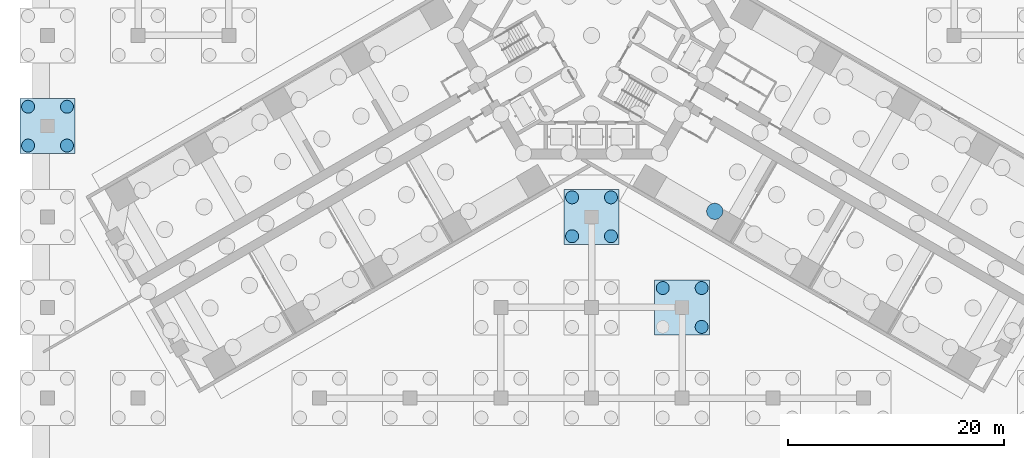
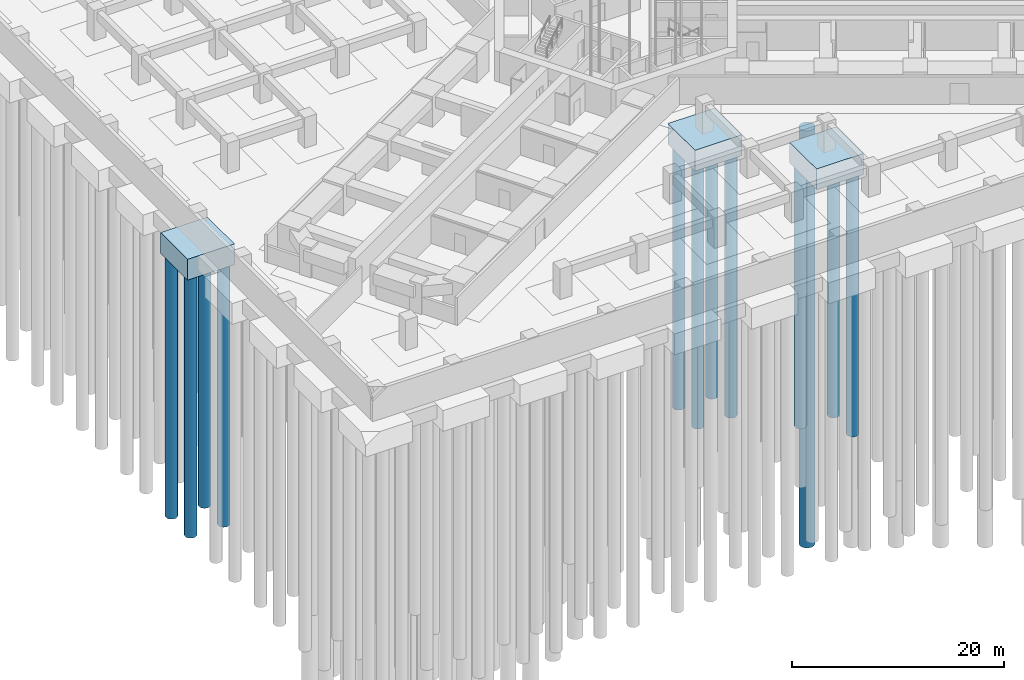
# One storey, part 10 of 73: 12 piles, 3 footings.
"""IFC4 building model written with IfcOpenShell, lengths in metres."""

import ifcopenshell
import ifcopenshell.guid

model = None  # the IFC model being written
_history = None  # IfcOwnerHistory: only IFC2X3 demands one
_inside = {}  # id of a spatial element -> (the spatial element, [elements in it])
_under = {}  # id of a project, library or spatial element -> (it, [spatial elements below it])
_declared = {}  # id of a project -> (the project, [libraries it declares])
_typed = {}  # id of a type object -> (the type object, [elements of that type])
_made_of = {}  # id of a material, layer set ... -> (it, [elements and type objects made of it])


def new_model(schema):
    """Start an empty IFC model of exactly this schema.

    Asked for "IFC4X3", IfcOpenShell would pick the latest addendum, in which some entities
    have other attributes; the version numbers below select the first issue.
    IFC2X3 requires an IfcOwnerHistory on every rooted entity: one is made here for all.
    """
    global model, _history
    if schema == "IFC4X3":
        model = ifcopenshell.file(schema_version=(4, 3, 0, 0))
    else:
        model = ifcopenshell.file(schema=schema)
    _inside.clear()
    _under.clear()
    _declared.clear()
    _typed.clear()
    _made_of.clear()
    _history = None
    if model.schema == "IFC2X3":
        org = make("IfcOrganization", Name="unknown")
        user = make(
            "IfcPersonAndOrganization",
            ThePerson=make("IfcPerson", FamilyName="unknown"),
            TheOrganization=org,
        )
        app = make(
            "IfcApplication",
            ApplicationDeveloper=org,
            Version="unknown",
            ApplicationFullName="unknown",
            ApplicationIdentifier="unknown",
        )
        _history = make(
            "IfcOwnerHistory",
            OwningUser=user,
            OwningApplication=app,
            ChangeAction="ADDED",
            CreationDate=0,
        )
    return model


def make(cls, **values):
    """One entity of the class cls with the attributes given. An attribute that is None is left unset."""
    return model.create_entity(
        cls, **{name: value for name, value in values.items() if value is not None}
    )


def rooted(cls, **values):
    """An entity with a GlobalId (a new one), such as an element, a storey or a relation."""
    return make(cls, GlobalId=ifcopenshell.guid.new(), OwnerHistory=_history, **values)


def si_unit(unit_type, name, prefix=None):
    """IfcSIUnit, for example si_unit("LENGTHUNIT", "METRE", prefix="MILLI")."""
    return make("IfcSIUnit", UnitType=unit_type, Prefix=prefix, Name=name)


def assignment(units):
    """IfcUnitAssignment: the units of a project."""
    return None if units is None else make("IfcUnitAssignment", Units=units)


def point(xyz):
    """IfcCartesianPoint."""
    return None if xyz is None else make("IfcCartesianPoint", Coordinates=xyz)


def direction(xyz):
    """IfcDirection."""
    return None if xyz is None else make("IfcDirection", DirectionRatios=xyz)


def frame(location, z_axis=None, x_axis=None):
    """IfcAxis2Placement3D, a coordinate frame: its origin and axes. An axis left out is left unset."""
    return make(
        "IfcAxis2Placement3D",
        Location=point(location),
        Axis=direction(z_axis),
        RefDirection=direction(x_axis),
    )


def frame_2d(location, x_axis=None):
    """IfcAxis2Placement2D, a coordinate frame in the plane: its origin and x axis."""
    return make(
        "IfcAxis2Placement2D", Location=point(location), RefDirection=direction(x_axis)
    )


def origin():
    """The frame at (0, 0, 0) with its axes left unset."""
    return frame((0.0, 0.0, 0.0))


def origin_2d():
    """The frame at (0, 0) in the plane with its x axis left unset."""
    return frame_2d((0.0, 0.0))


def place(relative_to, where):
    """IfcLocalPlacement: puts the frame where relative to a parent placement (None: the world)."""
    return make(
        "IfcLocalPlacement", PlacementRelTo=relative_to, RelativePlacement=where
    )


def context(
    kind, dimensions, precision=None, world=None, true_north=None, identifier=None
):
    """IfcGeometricRepresentationContext, for example the 3D "Model" context."""
    return make(
        "IfcGeometricRepresentationContext",
        ContextIdentifier=identifier,
        ContextType=kind,
        CoordinateSpaceDimension=dimensions,
        Precision=precision,
        WorldCoordinateSystem=world,
        TrueNorth=true_north,
    )


def subcontext(parent, identifier, kind, view, scale=None):
    """IfcGeometricRepresentationSubContext, for example "Body" below "Model"."""
    return make(
        "IfcGeometricRepresentationSubContext",
        ContextIdentifier=identifier,
        ContextType=kind,
        ParentContext=parent,
        TargetScale=scale,
        TargetView=view,
    )


def project(units=None, contexts=None):
    """IfcProject with its units and contexts."""
    return rooted(
        "IfcProject",
        Name="project",
        RepresentationContexts=contexts,
        UnitsInContext=assignment(units),
    )


def spatial(cls, under=None, at=None, **own):
    """A site, building, storey or space (cls), placed at a placement, below another one or the project."""
    s = rooted(cls, ObjectPlacement=at, **own)
    if under is not None:
        _under.setdefault(under.id(), (under, []))[1].append(s)
    return s


def polyline(points):
    """IfcPolyline through the points."""
    return make("IfcPolyline", Points=[point(p) for p in points])


def profile(cls, at=None, kind="AREA", **sizes):
    """A parametric profile (cls). Its sizes go by their IFC names, for example OverallWidth=200.0."""
    return make(cls, ProfileType=kind, Position=at, **sizes)


def circle(**sizes):
    """IfcCircleProfileDef."""
    return profile("IfcCircleProfileDef", **sizes)


def outline(outer, holes=None, kind="AREA"):
    """IfcArbitraryClosedProfileDef: a profile drawn as a closed curve; with holes, ...WithVoids."""
    if holes is None:
        return make("IfcArbitraryClosedProfileDef", ProfileType=kind, OuterCurve=outer)
    return make(
        "IfcArbitraryProfileDefWithVoids",
        ProfileType=kind,
        OuterCurve=outer,
        InnerCurves=holes,
    )


def extrude(swept, where, along, depth):
    """IfcExtrudedAreaSolid: the profile swept, set in the frame where, extruded along a direction by depth."""
    return make(
        "IfcExtrudedAreaSolid",
        SweptArea=swept,
        Position=where,
        ExtrudedDirection=direction(along),
        Depth=depth,
    )


def shape(context_of_items, identifier, shape_type, items):
    """IfcShapeRepresentation: the items that make up one representation, for example the "Body"."""
    return make(
        "IfcShapeRepresentation",
        ContextOfItems=context_of_items,
        RepresentationIdentifier=identifier,
        RepresentationType=shape_type,
        Items=items,
    )


def material(Name=None, Category=None):
    """IfcMaterial."""
    return make("IfcMaterial", Name=Name, Category=Category)


def material_profile(
    of_material, cross_section, Name=None, Category=None, Priority=None
):
    """IfcMaterialProfile: a cross section and its material."""
    return make(
        "IfcMaterialProfile",
        Name=Name,
        Material=of_material,
        Profile=cross_section,
        Priority=Priority,
        Category=Category,
    )


def profile_set(profiles, Name=None, composite=None):
    """IfcMaterialProfileSet."""
    return make(
        "IfcMaterialProfileSet",
        Name=Name,
        MaterialProfiles=profiles,
        CompositeProfile=composite,
    )


def made_of(thing, what):
    """Note that an element or type object is made of a material, layer set ...; save() writes the relation."""
    if what is not None:
        _made_of.setdefault(what.id(), (what, []))[1].append(thing)
    return thing


def type_object(cls, material=None, **own):
    """A type object (cls), such as IfcWallType, which elements share."""
    return made_of(rooted(cls, **own), material)


def element(
    cls,
    number,
    at=None,
    inside=None,
    cuts=None,
    type_object=None,
    material=None,
    context=None,
    identifier="Body",
    shape_type=None,
    held_by="IfcProductDefinitionShape",
    body=None,
    shapes=None,
    **own,
):
    """One element of the class cls, such as IfcWall. Its Tag is "e" and its number.

    at: its placement. inside: the storey or other place that contains it. cuts: it is an
    opening in that element (IfcRelVoidsElement). A single representation is given by context,
    identifier, shape_type and body (its items); several are given by shapes. held_by: the class
    of the entity that holds the representations. save() writes the other relations.
    """
    e = rooted(cls, Tag="e%d" % number, ObjectPlacement=at, **own)
    if body is not None:
        shapes = [shape(context, identifier, shape_type, body)]
    if shapes is not None:
        e.Representation = make(held_by, Representations=shapes)
    if inside is not None:
        _inside.setdefault(inside.id(), (inside, []))[1].append(e)
    if cuts is not None:
        rooted(
            "IfcRelVoidsElement", RelatingBuildingElement=cuts, RelatedOpeningElement=e
        )
    if type_object is not None:
        _typed.setdefault(type_object.id(), (type_object, []))[1].append(e)
    return made_of(e, material)


def aggregate(whole, parts):
    """IfcRelAggregates: a whole, such as a stair, and the parts it consists of."""
    return rooted("IfcRelAggregates", RelatingObject=whole, RelatedObjects=parts)


def save(model, path):
    """Write the relations noted so far, then the file.

    IfcRelAggregates (storeys below a building ...), IfcRelContainedInSpatialStructure (elements
    in a storey), IfcRelDefinesByType, IfcRelAssociatesMaterial and IfcRelDeclares: one each for
    every whole, place, type object, material and project.
    """
    for whole, parts in _under.values():
        aggregate(whole, parts)
    for where, things in _inside.values():
        rooted(
            "IfcRelContainedInSpatialStructure",
            RelatedElements=things,
            RelatingStructure=where,
        )
    for kind, things in _typed.values():
        rooted("IfcRelDefinesByType", RelatedObjects=things, RelatingType=kind)
    for what, things in _made_of.values():
        rooted("IfcRelAssociatesMaterial", RelatedObjects=things, RelatingMaterial=what)
    for by, libraries in _declared.values():
        rooted("IfcRelDeclares", RelatingContext=by, RelatedDefinitions=libraries)
    model.write(path)


model = new_model("IFC4")

# Units and contexts
model_context = context("Model", 3, precision=1e-05, world=origin(), true_north=direction((0.0, 1.0)))
body_context = subcontext(model_context, "Body", "Model", "MODEL_VIEW")
ifc_project = project(units=[si_unit("LENGTHUNIT", "METRE"), si_unit("AREAUNIT", "SQUARE_METRE"), si_unit("VOLUMEUNIT", "CUBIC_METRE"), si_unit("PLANEANGLEUNIT", "RADIAN"), si_unit("MASSUNIT", "GRAM", prefix="KILO")], contexts=[model_context])

# Site, building, storey
site_placement = place(None, origin())
site = spatial("IfcSite", under=ifc_project, at=site_placement, CompositionType="ELEMENT")
building_placement = place(site_placement, origin())
building = spatial("IfcBuilding", under=site, at=building_placement, Name="Impinga Residences", CompositionType="ELEMENT")
storey_placement = place(building_placement, frame((0.0, 0.0, -10.5)))
storey = spatial("IfcBuildingStorey", under=building, at=storey_placement, Name="B3", CompositionType="ELEMENT", Elevation=-10.5)

# Piles
ifc_material_1 = material(Name="Concrete C35/45", Category="concrete")
ifc_material_profile_1 = material_profile(ifc_material_1, circle(Radius=0.75, at=origin_2d()), Name="D1500")
ifc_profile_set_1 = profile_set([ifc_material_profile_1], Name="Concrete C35/45")
pile_type_1 = type_object("IfcPileType", Name="BP1 bored pile D1500", PredefinedType="BORED", material=ifc_profile_set_1)
pile_1_placement = place(storey_placement, frame((11.415771484375, -16.290283203125, -4.0), z_axis=(0.0, 0.0, -1.0), x_axis=(1.0, 0.0, 0.0)))
element("IfcPile", 1, at=pile_1_placement, inside=storey, type_object=pile_type_1, Name="Raft pile BP1-038", PredefinedType="BORED", context=body_context, shape_type="SweptSolid", body=[
    extrude(outline(polyline([(0.75, 0.0), (0.746337890625, 0.073486328125), (0.735595703125, 0.146240234375), (0.7177734375, 0.2177734375), (0.69287109375, 0.287109375), (0.661376953125, 0.353515625), (0.62353515625, 0.416748046875), (0.579833984375, 0.475830078125), (0.5302734375, 0.5302734375), (0.475830078125, 0.579833984375), (0.416748046875, 0.62353515625), (0.353515625, 0.661376953125), (0.287109375, 0.69287109375), (0.2177734375, 0.7177734375), (0.146240234375, 0.735595703125), (0.073486328125, 0.746337890625), (0.0, 0.75), (-0.073486328125, 0.746337890625), (-0.146240234375, 0.735595703125), (-0.2177734375, 0.7177734375), (-0.287109375, 0.69287109375), (-0.353515625, 0.661376953125), (-0.416748046875, 0.62353515625), (-0.475830078125, 0.579833984375), (-0.5302734375, 0.5302734375), (-0.579833984375, 0.475830078125), (-0.62353515625, 0.416748046875), (-0.661376953125, 0.353515625), (-0.69287109375, 0.287109375), (-0.7177734375, 0.2177734375), (-0.735595703125, 0.146240234375), (-0.746337890625, 0.073486328125), (-0.75, 0.0), (-0.746337890625, -0.073486328125), (-0.735595703125, -0.146240234375), (-0.7177734375, -0.2177734375), (-0.69287109375, -0.287109375), (-0.661376953125, -0.353515625), (-0.62353515625, -0.416748046875), (-0.579833984375, -0.475830078125), (-0.5302734375, -0.5302734375), (-0.475830078125, -0.579833984375), (-0.416748046875, -0.62353515625), (-0.353515625, -0.661376953125), (-0.287109375, -0.69287109375), (-0.2177734375, -0.7177734375), (-0.146240234375, -0.735595703125), (-0.073486328125, -0.746337890625), (0.0, -0.75), (0.073486328125, -0.746337890625), (0.146240234375, -0.735595703125), (0.2177734375, -0.7177734375), (0.287109375, -0.69287109375), (0.353515625, -0.661376953125), (0.416748046875, -0.62353515625), (0.475830078125, -0.579833984375), (0.5302734375, -0.5302734375), (0.579833984375, -0.475830078125), (0.62353515625, -0.416748046875), (0.661376953125, -0.353515625), (0.69287109375, -0.287109375), (0.7177734375, -0.2177734375), (0.735595703125, -0.146240234375), (0.746337890625, -0.073486328125), (0.75, 0.0)])), origin(), (0.0, 0.0, 1.0), 48.0),
])
ifc_material_profile_2 = material_profile(ifc_material_1, circle(Radius=0.60009765625, at=origin_2d()), Name="D1200")
ifc_profile_set_2 = profile_set([ifc_material_profile_2], Name="Concrete C35/45")
pile_type_2 = type_object("IfcPileType", Name="BP2 bored pile D1200", PredefinedType="BORED", material=ifc_profile_set_2)
pile_2_placement = place(storey_placement, frame((-52.199951171875, -10.199951171875, -2.39990234375), z_axis=(0.0, 0.0, -1.0), x_axis=(1.0, 0.0, 0.0)))
element("IfcPile", 2, at=pile_2_placement, inside=storey, type_object=pile_type_2, Name="Cap pile BP2 1/E-1", PredefinedType="BORED", context=body_context, shape_type="SweptSolid", body=[
    extrude(outline(polyline([(0.60009765625, 0.0), (0.59716796875, 0.058837890625), (0.58837890625, 0.116943359375), (0.57421875, 0.174072265625), (0.554443359375, 0.2294921875), (0.529052734375, 0.282958984375), (0.498779296875, 0.333251953125), (0.4638671875, 0.380615234375), (0.42431640625, 0.42431640625), (0.380615234375, 0.4638671875), (0.333251953125, 0.498779296875), (0.282958984375, 0.529052734375), (0.2294921875, 0.554443359375), (0.174072265625, 0.57421875), (0.116943359375, 0.58837890625), (0.058837890625, 0.59716796875), (0.0, 0.60009765625), (-0.058837890625, 0.59716796875), (-0.116943359375, 0.58837890625), (-0.174072265625, 0.57421875), (-0.2294921875, 0.554443359375), (-0.282958984375, 0.529052734375), (-0.333251953125, 0.498779296875), (-0.380615234375, 0.4638671875), (-0.42431640625, 0.42431640625), (-0.4638671875, 0.380615234375), (-0.498779296875, 0.333251953125), (-0.529052734375, 0.282958984375), (-0.554443359375, 0.2294921875), (-0.57421875, 0.174072265625), (-0.58837890625, 0.116943359375), (-0.59716796875, 0.058837890625), (-0.60009765625, 0.0), (-0.59716796875, -0.058837890625), (-0.58837890625, -0.116943359375), (-0.57421875, -0.174072265625), (-0.554443359375, -0.2294921875), (-0.529052734375, -0.282958984375), (-0.498779296875, -0.333251953125), (-0.4638671875, -0.380615234375), (-0.42431640625, -0.42431640625), (-0.380615234375, -0.4638671875), (-0.333251953125, -0.498779296875), (-0.282958984375, -0.529052734375), (-0.2294921875, -0.554443359375), (-0.174072265625, -0.57421875), (-0.116943359375, -0.58837890625), (-0.058837890625, -0.59716796875), (0.0, -0.60009765625), (0.058837890625, -0.59716796875), (0.116943359375, -0.58837890625), (0.174072265625, -0.57421875), (0.2294921875, -0.554443359375), (0.282958984375, -0.529052734375), (0.333251953125, -0.498779296875), (0.380615234375, -0.4638671875), (0.42431640625, -0.42431640625), (0.4638671875, -0.380615234375), (0.498779296875, -0.333251953125), (0.529052734375, -0.282958984375), (0.554443359375, -0.2294921875), (0.57421875, -0.174072265625), (0.58837890625, -0.116943359375), (0.59716796875, -0.058837890625), (0.60009765625, 0.0)])), origin(), (0.0, 0.0, 1.0), 30.0),
])
pile_3_placement = place(storey_placement, frame((-48.60009765625, -10.199951171875, -2.39990234375), z_axis=(0.0, 0.0, -1.0), x_axis=(1.0, 0.0, 0.0)))
element("IfcPile", 3, at=pile_3_placement, inside=storey, type_object=pile_type_2, Name="Cap pile BP2 1/E-2", PredefinedType="BORED", context=body_context, shape_type="SweptSolid", body=[
    extrude(outline(polyline([(0.60009765625, 0.0), (0.59716796875, 0.058837890625), (0.58837890625, 0.116943359375), (0.57421875, 0.174072265625), (0.554443359375, 0.2294921875), (0.529052734375, 0.282958984375), (0.498779296875, 0.333251953125), (0.4638671875, 0.380615234375), (0.42431640625, 0.42431640625), (0.380615234375, 0.4638671875), (0.333251953125, 0.498779296875), (0.282958984375, 0.529052734375), (0.2294921875, 0.554443359375), (0.174072265625, 0.57421875), (0.116943359375, 0.58837890625), (0.058837890625, 0.59716796875), (0.0, 0.60009765625), (-0.058837890625, 0.59716796875), (-0.116943359375, 0.58837890625), (-0.174072265625, 0.57421875), (-0.2294921875, 0.554443359375), (-0.282958984375, 0.529052734375), (-0.333251953125, 0.498779296875), (-0.380615234375, 0.4638671875), (-0.42431640625, 0.42431640625), (-0.4638671875, 0.380615234375), (-0.498779296875, 0.333251953125), (-0.529052734375, 0.282958984375), (-0.554443359375, 0.2294921875), (-0.57421875, 0.174072265625), (-0.58837890625, 0.116943359375), (-0.59716796875, 0.058837890625), (-0.60009765625, 0.0), (-0.59716796875, -0.058837890625), (-0.58837890625, -0.116943359375), (-0.57421875, -0.174072265625), (-0.554443359375, -0.2294921875), (-0.529052734375, -0.282958984375), (-0.498779296875, -0.333251953125), (-0.4638671875, -0.380615234375), (-0.42431640625, -0.42431640625), (-0.380615234375, -0.4638671875), (-0.333251953125, -0.498779296875), (-0.282958984375, -0.529052734375), (-0.2294921875, -0.554443359375), (-0.174072265625, -0.57421875), (-0.116943359375, -0.58837890625), (-0.058837890625, -0.59716796875), (0.0, -0.60009765625), (0.058837890625, -0.59716796875), (0.116943359375, -0.58837890625), (0.174072265625, -0.57421875), (0.2294921875, -0.554443359375), (0.282958984375, -0.529052734375), (0.333251953125, -0.498779296875), (0.380615234375, -0.4638671875), (0.42431640625, -0.42431640625), (0.4638671875, -0.380615234375), (0.498779296875, -0.333251953125), (0.529052734375, -0.282958984375), (0.554443359375, -0.2294921875), (0.57421875, -0.174072265625), (0.58837890625, -0.116943359375), (0.59716796875, -0.058837890625), (0.60009765625, 0.0)])), origin(), (0.0, 0.0, 1.0), 30.0),
])
pile_4_placement = place(storey_placement, frame((-48.60009765625, -6.60009765625, -2.39990234375), z_axis=(0.0, 0.0, -1.0), x_axis=(1.0, 0.0, 0.0)))
element("IfcPile", 4, at=pile_4_placement, inside=storey, type_object=pile_type_2, Name="Cap pile BP2 1/E-3", PredefinedType="BORED", context=body_context, shape_type="SweptSolid", body=[
    extrude(outline(polyline([(0.60009765625, 0.0), (0.59716796875, 0.058837890625), (0.58837890625, 0.116943359375), (0.57421875, 0.174072265625), (0.554443359375, 0.2294921875), (0.529052734375, 0.282958984375), (0.498779296875, 0.333251953125), (0.4638671875, 0.380615234375), (0.42431640625, 0.42431640625), (0.380615234375, 0.4638671875), (0.333251953125, 0.498779296875), (0.282958984375, 0.529052734375), (0.2294921875, 0.554443359375), (0.174072265625, 0.57421875), (0.116943359375, 0.58837890625), (0.058837890625, 0.59716796875), (0.0, 0.60009765625), (-0.058837890625, 0.59716796875), (-0.116943359375, 0.58837890625), (-0.174072265625, 0.57421875), (-0.2294921875, 0.554443359375), (-0.282958984375, 0.529052734375), (-0.333251953125, 0.498779296875), (-0.380615234375, 0.4638671875), (-0.42431640625, 0.42431640625), (-0.4638671875, 0.380615234375), (-0.498779296875, 0.333251953125), (-0.529052734375, 0.282958984375), (-0.554443359375, 0.2294921875), (-0.57421875, 0.174072265625), (-0.58837890625, 0.116943359375), (-0.59716796875, 0.058837890625), (-0.60009765625, 0.0), (-0.59716796875, -0.058837890625), (-0.58837890625, -0.116943359375), (-0.57421875, -0.174072265625), (-0.554443359375, -0.2294921875), (-0.529052734375, -0.282958984375), (-0.498779296875, -0.333251953125), (-0.4638671875, -0.380615234375), (-0.42431640625, -0.42431640625), (-0.380615234375, -0.4638671875), (-0.333251953125, -0.498779296875), (-0.282958984375, -0.529052734375), (-0.2294921875, -0.554443359375), (-0.174072265625, -0.57421875), (-0.116943359375, -0.58837890625), (-0.058837890625, -0.59716796875), (0.0, -0.60009765625), (0.058837890625, -0.59716796875), (0.116943359375, -0.58837890625), (0.174072265625, -0.57421875), (0.2294921875, -0.554443359375), (0.282958984375, -0.529052734375), (0.333251953125, -0.498779296875), (0.380615234375, -0.4638671875), (0.42431640625, -0.42431640625), (0.4638671875, -0.380615234375), (0.498779296875, -0.333251953125), (0.529052734375, -0.282958984375), (0.554443359375, -0.2294921875), (0.57421875, -0.174072265625), (0.58837890625, -0.116943359375), (0.59716796875, -0.058837890625), (0.60009765625, 0.0)])), origin(), (0.0, 0.0, 1.0), 30.0),
])
pile_5_placement = place(storey_placement, frame((-52.199951171875, -6.60009765625, -2.39990234375), z_axis=(0.0, 0.0, -1.0), x_axis=(1.0, 0.0, 0.0)))
element("IfcPile", 5, at=pile_5_placement, inside=storey, type_object=pile_type_2, Name="Cap pile BP2 1/E-4", PredefinedType="BORED", context=body_context, shape_type="SweptSolid", body=[
    extrude(outline(polyline([(0.60009765625, 0.0), (0.59716796875, 0.058837890625), (0.58837890625, 0.116943359375), (0.57421875, 0.174072265625), (0.554443359375, 0.2294921875), (0.529052734375, 0.282958984375), (0.498779296875, 0.333251953125), (0.4638671875, 0.380615234375), (0.42431640625, 0.42431640625), (0.380615234375, 0.4638671875), (0.333251953125, 0.498779296875), (0.282958984375, 0.529052734375), (0.2294921875, 0.554443359375), (0.174072265625, 0.57421875), (0.116943359375, 0.58837890625), (0.058837890625, 0.59716796875), (0.0, 0.60009765625), (-0.058837890625, 0.59716796875), (-0.116943359375, 0.58837890625), (-0.174072265625, 0.57421875), (-0.2294921875, 0.554443359375), (-0.282958984375, 0.529052734375), (-0.333251953125, 0.498779296875), (-0.380615234375, 0.4638671875), (-0.42431640625, 0.42431640625), (-0.4638671875, 0.380615234375), (-0.498779296875, 0.333251953125), (-0.529052734375, 0.282958984375), (-0.554443359375, 0.2294921875), (-0.57421875, 0.174072265625), (-0.58837890625, 0.116943359375), (-0.59716796875, 0.058837890625), (-0.60009765625, 0.0), (-0.59716796875, -0.058837890625), (-0.58837890625, -0.116943359375), (-0.57421875, -0.174072265625), (-0.554443359375, -0.2294921875), (-0.529052734375, -0.282958984375), (-0.498779296875, -0.333251953125), (-0.4638671875, -0.380615234375), (-0.42431640625, -0.42431640625), (-0.380615234375, -0.4638671875), (-0.333251953125, -0.498779296875), (-0.282958984375, -0.529052734375), (-0.2294921875, -0.554443359375), (-0.174072265625, -0.57421875), (-0.116943359375, -0.58837890625), (-0.058837890625, -0.59716796875), (0.0, -0.60009765625), (0.058837890625, -0.59716796875), (0.116943359375, -0.58837890625), (0.174072265625, -0.57421875), (0.2294921875, -0.554443359375), (0.282958984375, -0.529052734375), (0.333251953125, -0.498779296875), (0.380615234375, -0.4638671875), (0.42431640625, -0.42431640625), (0.4638671875, -0.380615234375), (0.498779296875, -0.333251953125), (0.529052734375, -0.282958984375), (0.554443359375, -0.2294921875), (0.57421875, -0.174072265625), (0.58837890625, -0.116943359375), (0.59716796875, -0.058837890625), (0.60009765625, 0.0)])), origin(), (0.0, 0.0, 1.0), 30.0),
])
pile_6_placement = place(storey_placement, frame((-1.800048828125, -18.60009765625, -2.39990234375), z_axis=(0.0, 0.0, -1.0), x_axis=(1.0, 0.0, 0.0)))
element("IfcPile", 6, at=pile_6_placement, inside=storey, type_object=pile_type_2, Name="Cap pile BP2 7/D-1", PredefinedType="BORED", context=body_context, shape_type="SweptSolid", body=[
    extrude(outline(polyline([(0.60009765625, 0.0), (0.59716796875, 0.058837890625), (0.58837890625, 0.116943359375), (0.57421875, 0.174072265625), (0.554443359375, 0.2294921875), (0.529052734375, 0.282958984375), (0.498779296875, 0.333251953125), (0.4638671875, 0.380615234375), (0.42431640625, 0.42431640625), (0.380615234375, 0.4638671875), (0.333251953125, 0.498779296875), (0.282958984375, 0.529052734375), (0.2294921875, 0.554443359375), (0.174072265625, 0.57421875), (0.116943359375, 0.58837890625), (0.058837890625, 0.59716796875), (0.0, 0.60009765625), (-0.058837890625, 0.59716796875), (-0.116943359375, 0.58837890625), (-0.174072265625, 0.57421875), (-0.2294921875, 0.554443359375), (-0.282958984375, 0.529052734375), (-0.333251953125, 0.498779296875), (-0.380615234375, 0.4638671875), (-0.42431640625, 0.42431640625), (-0.4638671875, 0.380615234375), (-0.498779296875, 0.333251953125), (-0.529052734375, 0.282958984375), (-0.554443359375, 0.2294921875), (-0.57421875, 0.174072265625), (-0.58837890625, 0.116943359375), (-0.59716796875, 0.058837890625), (-0.60009765625, 0.0), (-0.59716796875, -0.058837890625), (-0.58837890625, -0.116943359375), (-0.57421875, -0.174072265625), (-0.554443359375, -0.2294921875), (-0.529052734375, -0.282958984375), (-0.498779296875, -0.333251953125), (-0.4638671875, -0.380615234375), (-0.42431640625, -0.42431640625), (-0.380615234375, -0.4638671875), (-0.333251953125, -0.498779296875), (-0.282958984375, -0.529052734375), (-0.2294921875, -0.554443359375), (-0.174072265625, -0.57421875), (-0.116943359375, -0.58837890625), (-0.058837890625, -0.59716796875), (0.0, -0.60009765625), (0.058837890625, -0.59716796875), (0.116943359375, -0.58837890625), (0.174072265625, -0.57421875), (0.2294921875, -0.554443359375), (0.282958984375, -0.529052734375), (0.333251953125, -0.498779296875), (0.380615234375, -0.4638671875), (0.42431640625, -0.42431640625), (0.4638671875, -0.380615234375), (0.498779296875, -0.333251953125), (0.529052734375, -0.282958984375), (0.554443359375, -0.2294921875), (0.57421875, -0.174072265625), (0.58837890625, -0.116943359375), (0.59716796875, -0.058837890625), (0.60009765625, 0.0)])), origin(), (0.0, 0.0, 1.0), 30.0),
])
pile_7_placement = place(storey_placement, frame((1.800048828125, -18.60009765625, -2.39990234375), z_axis=(0.0, 0.0, -1.0), x_axis=(1.0, 0.0, 0.0)))
element("IfcPile", 7, at=pile_7_placement, inside=storey, type_object=pile_type_2, Name="Cap pile BP2 7/D-2", PredefinedType="BORED", context=body_context, shape_type="SweptSolid", body=[
    extrude(outline(polyline([(0.60009765625, 0.0), (0.59716796875, 0.058837890625), (0.58837890625, 0.116943359375), (0.57421875, 0.174072265625), (0.554443359375, 0.2294921875), (0.529052734375, 0.282958984375), (0.498779296875, 0.333251953125), (0.4638671875, 0.380615234375), (0.42431640625, 0.42431640625), (0.380615234375, 0.4638671875), (0.333251953125, 0.498779296875), (0.282958984375, 0.529052734375), (0.2294921875, 0.554443359375), (0.174072265625, 0.57421875), (0.116943359375, 0.58837890625), (0.058837890625, 0.59716796875), (0.0, 0.60009765625), (-0.058837890625, 0.59716796875), (-0.116943359375, 0.58837890625), (-0.174072265625, 0.57421875), (-0.2294921875, 0.554443359375), (-0.282958984375, 0.529052734375), (-0.333251953125, 0.498779296875), (-0.380615234375, 0.4638671875), (-0.42431640625, 0.42431640625), (-0.4638671875, 0.380615234375), (-0.498779296875, 0.333251953125), (-0.529052734375, 0.282958984375), (-0.554443359375, 0.2294921875), (-0.57421875, 0.174072265625), (-0.58837890625, 0.116943359375), (-0.59716796875, 0.058837890625), (-0.60009765625, 0.0), (-0.59716796875, -0.058837890625), (-0.58837890625, -0.116943359375), (-0.57421875, -0.174072265625), (-0.554443359375, -0.2294921875), (-0.529052734375, -0.282958984375), (-0.498779296875, -0.333251953125), (-0.4638671875, -0.380615234375), (-0.42431640625, -0.42431640625), (-0.380615234375, -0.4638671875), (-0.333251953125, -0.498779296875), (-0.282958984375, -0.529052734375), (-0.2294921875, -0.554443359375), (-0.174072265625, -0.57421875), (-0.116943359375, -0.58837890625), (-0.058837890625, -0.59716796875), (0.0, -0.60009765625), (0.058837890625, -0.59716796875), (0.116943359375, -0.58837890625), (0.174072265625, -0.57421875), (0.2294921875, -0.554443359375), (0.282958984375, -0.529052734375), (0.333251953125, -0.498779296875), (0.380615234375, -0.4638671875), (0.42431640625, -0.42431640625), (0.4638671875, -0.380615234375), (0.498779296875, -0.333251953125), (0.529052734375, -0.282958984375), (0.554443359375, -0.2294921875), (0.57421875, -0.174072265625), (0.58837890625, -0.116943359375), (0.59716796875, -0.058837890625), (0.60009765625, 0.0)])), origin(), (0.0, 0.0, 1.0), 30.0),
])
pile_8_placement = place(storey_placement, frame((1.800048828125, -15.0, -2.39990234375), z_axis=(0.0, 0.0, -1.0), x_axis=(1.0, 0.0, 0.0)))
element("IfcPile", 8, at=pile_8_placement, inside=storey, type_object=pile_type_2, Name="Cap pile BP2 7/D-3", PredefinedType="BORED", context=body_context, shape_type="SweptSolid", body=[
    extrude(outline(polyline([(0.60009765625, 0.0), (0.59716796875, 0.058837890625), (0.58837890625, 0.116943359375), (0.57421875, 0.174072265625), (0.554443359375, 0.2294921875), (0.529052734375, 0.282958984375), (0.498779296875, 0.333251953125), (0.4638671875, 0.380615234375), (0.42431640625, 0.42431640625), (0.380615234375, 0.4638671875), (0.333251953125, 0.498779296875), (0.282958984375, 0.529052734375), (0.2294921875, 0.554443359375), (0.174072265625, 0.57421875), (0.116943359375, 0.58837890625), (0.058837890625, 0.59716796875), (0.0, 0.60009765625), (-0.058837890625, 0.59716796875), (-0.116943359375, 0.58837890625), (-0.174072265625, 0.57421875), (-0.2294921875, 0.554443359375), (-0.282958984375, 0.529052734375), (-0.333251953125, 0.498779296875), (-0.380615234375, 0.4638671875), (-0.42431640625, 0.42431640625), (-0.4638671875, 0.380615234375), (-0.498779296875, 0.333251953125), (-0.529052734375, 0.282958984375), (-0.554443359375, 0.2294921875), (-0.57421875, 0.174072265625), (-0.58837890625, 0.116943359375), (-0.59716796875, 0.058837890625), (-0.60009765625, 0.0), (-0.59716796875, -0.058837890625), (-0.58837890625, -0.116943359375), (-0.57421875, -0.174072265625), (-0.554443359375, -0.2294921875), (-0.529052734375, -0.282958984375), (-0.498779296875, -0.333251953125), (-0.4638671875, -0.380615234375), (-0.42431640625, -0.42431640625), (-0.380615234375, -0.4638671875), (-0.333251953125, -0.498779296875), (-0.282958984375, -0.529052734375), (-0.2294921875, -0.554443359375), (-0.174072265625, -0.57421875), (-0.116943359375, -0.58837890625), (-0.058837890625, -0.59716796875), (0.0, -0.60009765625), (0.058837890625, -0.59716796875), (0.116943359375, -0.58837890625), (0.174072265625, -0.57421875), (0.2294921875, -0.554443359375), (0.282958984375, -0.529052734375), (0.333251953125, -0.498779296875), (0.380615234375, -0.4638671875), (0.42431640625, -0.42431640625), (0.4638671875, -0.380615234375), (0.498779296875, -0.333251953125), (0.529052734375, -0.282958984375), (0.554443359375, -0.2294921875), (0.57421875, -0.174072265625), (0.58837890625, -0.116943359375), (0.59716796875, -0.058837890625), (0.60009765625, 0.0)])), origin(), (0.0, 0.0, 1.0), 30.0),
])
pile_9_placement = place(storey_placement, frame((-1.800048828125, -15.0, -2.39990234375), z_axis=(0.0, 0.0, -1.0), x_axis=(1.0, 0.0, 0.0)))
element("IfcPile", 9, at=pile_9_placement, inside=storey, type_object=pile_type_2, Name="Cap pile BP2 7/D-4", PredefinedType="BORED", context=body_context, shape_type="SweptSolid", body=[
    extrude(outline(polyline([(0.60009765625, 0.0), (0.59716796875, 0.058837890625), (0.58837890625, 0.116943359375), (0.57421875, 0.174072265625), (0.554443359375, 0.2294921875), (0.529052734375, 0.282958984375), (0.498779296875, 0.333251953125), (0.4638671875, 0.380615234375), (0.42431640625, 0.42431640625), (0.380615234375, 0.4638671875), (0.333251953125, 0.498779296875), (0.282958984375, 0.529052734375), (0.2294921875, 0.554443359375), (0.174072265625, 0.57421875), (0.116943359375, 0.58837890625), (0.058837890625, 0.59716796875), (0.0, 0.60009765625), (-0.058837890625, 0.59716796875), (-0.116943359375, 0.58837890625), (-0.174072265625, 0.57421875), (-0.2294921875, 0.554443359375), (-0.282958984375, 0.529052734375), (-0.333251953125, 0.498779296875), (-0.380615234375, 0.4638671875), (-0.42431640625, 0.42431640625), (-0.4638671875, 0.380615234375), (-0.498779296875, 0.333251953125), (-0.529052734375, 0.282958984375), (-0.554443359375, 0.2294921875), (-0.57421875, 0.174072265625), (-0.58837890625, 0.116943359375), (-0.59716796875, 0.058837890625), (-0.60009765625, 0.0), (-0.59716796875, -0.058837890625), (-0.58837890625, -0.116943359375), (-0.57421875, -0.174072265625), (-0.554443359375, -0.2294921875), (-0.529052734375, -0.282958984375), (-0.498779296875, -0.333251953125), (-0.4638671875, -0.380615234375), (-0.42431640625, -0.42431640625), (-0.380615234375, -0.4638671875), (-0.333251953125, -0.498779296875), (-0.282958984375, -0.529052734375), (-0.2294921875, -0.554443359375), (-0.174072265625, -0.57421875), (-0.116943359375, -0.58837890625), (-0.058837890625, -0.59716796875), (0.0, -0.60009765625), (0.058837890625, -0.59716796875), (0.116943359375, -0.58837890625), (0.174072265625, -0.57421875), (0.2294921875, -0.554443359375), (0.282958984375, -0.529052734375), (0.333251953125, -0.498779296875), (0.380615234375, -0.4638671875), (0.42431640625, -0.42431640625), (0.4638671875, -0.380615234375), (0.498779296875, -0.333251953125), (0.529052734375, -0.282958984375), (0.554443359375, -0.2294921875), (0.57421875, -0.174072265625), (0.58837890625, -0.116943359375), (0.59716796875, -0.058837890625), (0.60009765625, 0.0)])), origin(), (0.0, 0.0, 1.0), 30.0),
])
pile_10_placement = place(storey_placement, frame((10.199951171875, -27.0, -2.39990234375), z_axis=(0.0, 0.0, -1.0), x_axis=(1.0, 0.0, 0.0)))
element("IfcPile", 10, at=pile_10_placement, inside=storey, type_object=pile_type_2, Name="Cap pile BP2 8/C-2", PredefinedType="BORED", context=body_context, shape_type="SweptSolid", body=[
    extrude(outline(polyline([(0.60009765625, 0.0), (0.59716796875, 0.058837890625), (0.58837890625, 0.116943359375), (0.57421875, 0.174072265625), (0.554443359375, 0.2294921875), (0.529052734375, 0.282958984375), (0.498779296875, 0.333251953125), (0.4638671875, 0.380615234375), (0.42431640625, 0.42431640625), (0.380615234375, 0.4638671875), (0.333251953125, 0.498779296875), (0.282958984375, 0.529052734375), (0.2294921875, 0.554443359375), (0.174072265625, 0.57421875), (0.116943359375, 0.58837890625), (0.058837890625, 0.59716796875), (0.0, 0.60009765625), (-0.058837890625, 0.59716796875), (-0.116943359375, 0.58837890625), (-0.174072265625, 0.57421875), (-0.2294921875, 0.554443359375), (-0.282958984375, 0.529052734375), (-0.333251953125, 0.498779296875), (-0.380615234375, 0.4638671875), (-0.42431640625, 0.42431640625), (-0.4638671875, 0.380615234375), (-0.498779296875, 0.333251953125), (-0.529052734375, 0.282958984375), (-0.554443359375, 0.2294921875), (-0.57421875, 0.174072265625), (-0.58837890625, 0.116943359375), (-0.59716796875, 0.058837890625), (-0.60009765625, 0.0), (-0.59716796875, -0.058837890625), (-0.58837890625, -0.116943359375), (-0.57421875, -0.174072265625), (-0.554443359375, -0.2294921875), (-0.529052734375, -0.282958984375), (-0.498779296875, -0.333251953125), (-0.4638671875, -0.380615234375), (-0.42431640625, -0.42431640625), (-0.380615234375, -0.4638671875), (-0.333251953125, -0.498779296875), (-0.282958984375, -0.529052734375), (-0.2294921875, -0.554443359375), (-0.174072265625, -0.57421875), (-0.116943359375, -0.58837890625), (-0.058837890625, -0.59716796875), (0.0, -0.60009765625), (0.058837890625, -0.59716796875), (0.116943359375, -0.58837890625), (0.174072265625, -0.57421875), (0.2294921875, -0.554443359375), (0.282958984375, -0.529052734375), (0.333251953125, -0.498779296875), (0.380615234375, -0.4638671875), (0.42431640625, -0.42431640625), (0.4638671875, -0.380615234375), (0.498779296875, -0.333251953125), (0.529052734375, -0.282958984375), (0.554443359375, -0.2294921875), (0.57421875, -0.174072265625), (0.58837890625, -0.116943359375), (0.59716796875, -0.058837890625), (0.60009765625, 0.0)])), origin(), (0.0, 0.0, 1.0), 30.0),
])
pile_11_placement = place(storey_placement, frame((10.199951171875, -23.39990234375, -2.39990234375), z_axis=(0.0, 0.0, -1.0), x_axis=(1.0, 0.0, 0.0)))
element("IfcPile", 11, at=pile_11_placement, inside=storey, type_object=pile_type_2, Name="Cap pile BP2 8/C-3", PredefinedType="BORED", context=body_context, shape_type="SweptSolid", body=[
    extrude(outline(polyline([(0.60009765625, 0.0), (0.59716796875, 0.058837890625), (0.58837890625, 0.116943359375), (0.57421875, 0.174072265625), (0.554443359375, 0.2294921875), (0.529052734375, 0.282958984375), (0.498779296875, 0.333251953125), (0.4638671875, 0.380615234375), (0.42431640625, 0.42431640625), (0.380615234375, 0.4638671875), (0.333251953125, 0.498779296875), (0.282958984375, 0.529052734375), (0.2294921875, 0.554443359375), (0.174072265625, 0.57421875), (0.116943359375, 0.58837890625), (0.058837890625, 0.59716796875), (0.0, 0.60009765625), (-0.058837890625, 0.59716796875), (-0.116943359375, 0.58837890625), (-0.174072265625, 0.57421875), (-0.2294921875, 0.554443359375), (-0.282958984375, 0.529052734375), (-0.333251953125, 0.498779296875), (-0.380615234375, 0.4638671875), (-0.42431640625, 0.42431640625), (-0.4638671875, 0.380615234375), (-0.498779296875, 0.333251953125), (-0.529052734375, 0.282958984375), (-0.554443359375, 0.2294921875), (-0.57421875, 0.174072265625), (-0.58837890625, 0.116943359375), (-0.59716796875, 0.058837890625), (-0.60009765625, 0.0), (-0.59716796875, -0.058837890625), (-0.58837890625, -0.116943359375), (-0.57421875, -0.174072265625), (-0.554443359375, -0.2294921875), (-0.529052734375, -0.282958984375), (-0.498779296875, -0.333251953125), (-0.4638671875, -0.380615234375), (-0.42431640625, -0.42431640625), (-0.380615234375, -0.4638671875), (-0.333251953125, -0.498779296875), (-0.282958984375, -0.529052734375), (-0.2294921875, -0.554443359375), (-0.174072265625, -0.57421875), (-0.116943359375, -0.58837890625), (-0.058837890625, -0.59716796875), (0.0, -0.60009765625), (0.058837890625, -0.59716796875), (0.116943359375, -0.58837890625), (0.174072265625, -0.57421875), (0.2294921875, -0.554443359375), (0.282958984375, -0.529052734375), (0.333251953125, -0.498779296875), (0.380615234375, -0.4638671875), (0.42431640625, -0.42431640625), (0.4638671875, -0.380615234375), (0.498779296875, -0.333251953125), (0.529052734375, -0.282958984375), (0.554443359375, -0.2294921875), (0.57421875, -0.174072265625), (0.58837890625, -0.116943359375), (0.59716796875, -0.058837890625), (0.60009765625, 0.0)])), origin(), (0.0, 0.0, 1.0), 30.0),
])
pile_12_placement = place(storey_placement, frame((6.60009765625, -23.39990234375, -2.39990234375), z_axis=(0.0, 0.0, -1.0), x_axis=(1.0, 0.0, 0.0)))
element("IfcPile", 12, at=pile_12_placement, inside=storey, type_object=pile_type_2, Name="Cap pile BP2 8/C-4", PredefinedType="BORED", context=body_context, shape_type="SweptSolid", body=[
    extrude(outline(polyline([(0.60009765625, 0.0), (0.59716796875, 0.058837890625), (0.58837890625, 0.116943359375), (0.57421875, 0.174072265625), (0.554443359375, 0.2294921875), (0.529052734375, 0.282958984375), (0.498779296875, 0.333251953125), (0.4638671875, 0.380615234375), (0.42431640625, 0.42431640625), (0.380615234375, 0.4638671875), (0.333251953125, 0.498779296875), (0.282958984375, 0.529052734375), (0.2294921875, 0.554443359375), (0.174072265625, 0.57421875), (0.116943359375, 0.58837890625), (0.058837890625, 0.59716796875), (0.0, 0.60009765625), (-0.058837890625, 0.59716796875), (-0.116943359375, 0.58837890625), (-0.174072265625, 0.57421875), (-0.2294921875, 0.554443359375), (-0.282958984375, 0.529052734375), (-0.333251953125, 0.498779296875), (-0.380615234375, 0.4638671875), (-0.42431640625, 0.42431640625), (-0.4638671875, 0.380615234375), (-0.498779296875, 0.333251953125), (-0.529052734375, 0.282958984375), (-0.554443359375, 0.2294921875), (-0.57421875, 0.174072265625), (-0.58837890625, 0.116943359375), (-0.59716796875, 0.058837890625), (-0.60009765625, 0.0), (-0.59716796875, -0.058837890625), (-0.58837890625, -0.116943359375), (-0.57421875, -0.174072265625), (-0.554443359375, -0.2294921875), (-0.529052734375, -0.282958984375), (-0.498779296875, -0.333251953125), (-0.4638671875, -0.380615234375), (-0.42431640625, -0.42431640625), (-0.380615234375, -0.4638671875), (-0.333251953125, -0.498779296875), (-0.282958984375, -0.529052734375), (-0.2294921875, -0.554443359375), (-0.174072265625, -0.57421875), (-0.116943359375, -0.58837890625), (-0.058837890625, -0.59716796875), (0.0, -0.60009765625), (0.058837890625, -0.59716796875), (0.116943359375, -0.58837890625), (0.174072265625, -0.57421875), (0.2294921875, -0.554443359375), (0.282958984375, -0.529052734375), (0.333251953125, -0.498779296875), (0.380615234375, -0.4638671875), (0.42431640625, -0.42431640625), (0.4638671875, -0.380615234375), (0.498779296875, -0.333251953125), (0.529052734375, -0.282958984375), (0.554443359375, -0.2294921875), (0.57421875, -0.174072265625), (0.58837890625, -0.116943359375), (0.59716796875, -0.058837890625), (0.60009765625, 0.0)])), origin(), (0.0, 0.0, 1.0), 30.0),
])

# Footings
ifc_material_2 = material(Name="Concrete C45/55", Category="concrete")
footing_type = type_object("IfcFootingType", Name="PC4 four-pile cap 5100 square 2400 deep", PredefinedType="PILE_CAP", material=ifc_material_2)
footing_1_placement = place(storey_placement, frame((0.0, 0.0, -2.39990234375)))
element("IfcFooting", 13, at=footing_1_placement, inside=storey, type_object=footing_type, Name="Pile cap PC4 1/E", PredefinedType="PILE_CAP", context=body_context, shape_type="SweptSolid", body=[
    extrude(outline(polyline([(-47.85009765625, -10.949951171875), (-47.85009765625, -5.85009765625), (-52.949951171875, -5.85009765625), (-52.949951171875, -10.949951171875), (-47.85009765625, -10.949951171875)])), origin(), (0.0, 0.0, 1.0), 2.39990234375),
])
footing_2_placement = place(storey_placement, frame((0.0, 0.0, -2.39990234375)))
element("IfcFooting", 14, at=footing_2_placement, inside=storey, type_object=footing_type, Name="Pile cap PC4 7/D", PredefinedType="PILE_CAP", context=body_context, shape_type="SweptSolid", body=[
    extrude(outline(polyline([(2.550048828125, -19.35009765625), (2.550048828125, -14.25), (-2.550048828125, -14.25), (-2.550048828125, -19.35009765625), (2.550048828125, -19.35009765625)])), origin(), (0.0, 0.0, 1.0), 2.39990234375),
])
footing_3_placement = place(storey_placement, frame((0.0, 0.0, -2.39990234375)))
element("IfcFooting", 15, at=footing_3_placement, inside=storey, type_object=footing_type, Name="Pile cap PC4 8/C", PredefinedType="PILE_CAP", context=body_context, shape_type="SweptSolid", body=[
    extrude(outline(polyline([(10.949951171875, -27.75), (10.949951171875, -22.64990234375), (5.85009765625, -22.64990234375), (5.85009765625, -27.75), (10.949951171875, -27.75)])), origin(), (0.0, 0.0, 1.0), 2.39990234375),
])

save(model, "model.ifc")
